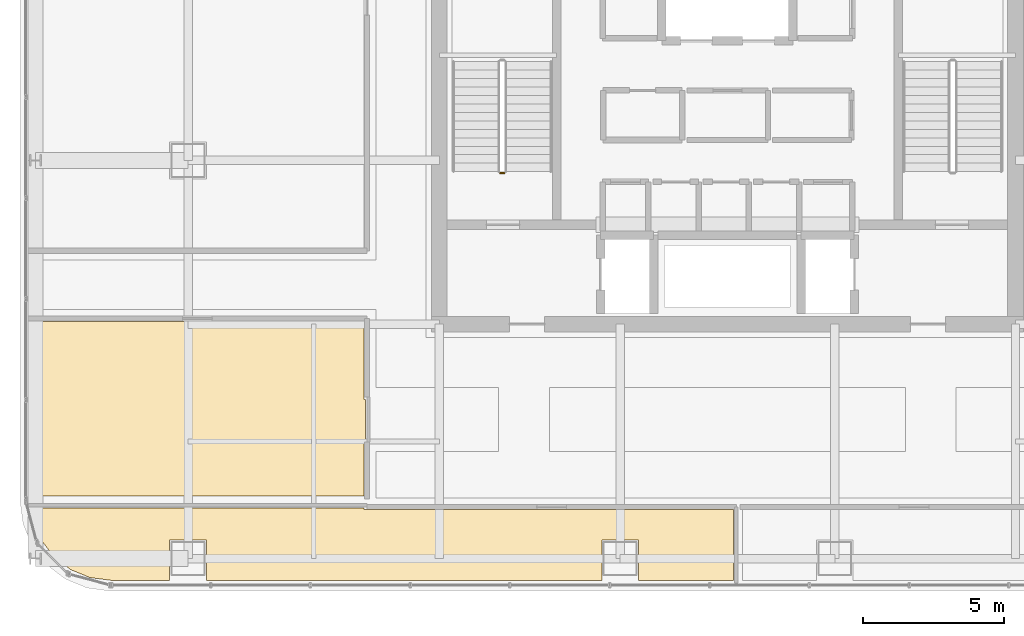
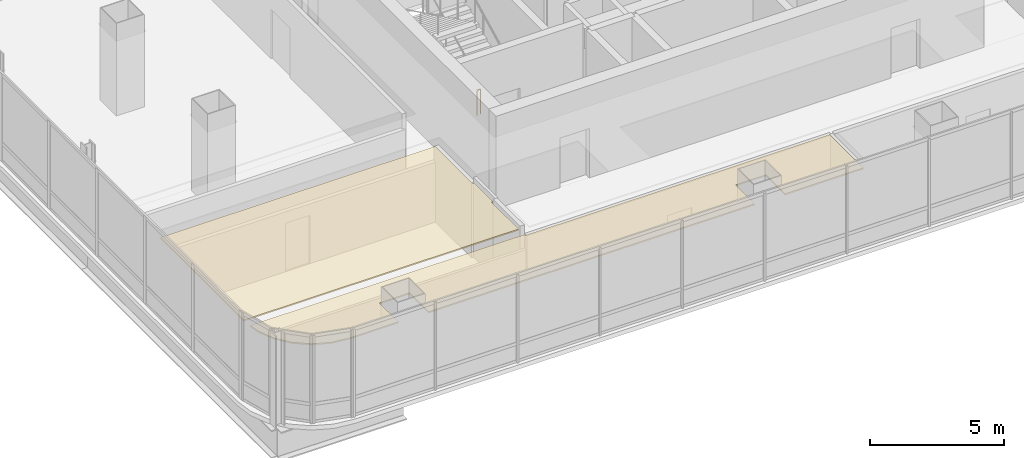
# One storey, part 37 of 41: 2 coverings, 1 railing.
"""IFC4 building model written with IfcOpenShell, lengths in metres."""

import ifcopenshell
import ifcopenshell.guid

model = None  # the IFC model being written
_history = None  # IfcOwnerHistory: only IFC2X3 demands one
_inside = {}  # id of a spatial element -> (the spatial element, [elements in it])
_under = {}  # id of a project, library or spatial element -> (it, [spatial elements below it])
_declared = {}  # id of a project -> (the project, [libraries it declares])
_typed = {}  # id of a type object -> (the type object, [elements of that type])
_made_of = {}  # id of a material, layer set ... -> (it, [elements and type objects made of it])


def new_model(schema):
    """Start an empty IFC model of exactly this schema.

    Asked for "IFC4X3", IfcOpenShell would pick the latest addendum, in which some entities
    have other attributes; the version numbers below select the first issue.
    IFC2X3 requires an IfcOwnerHistory on every rooted entity: one is made here for all.
    """
    global model, _history
    if schema == "IFC4X3":
        model = ifcopenshell.file(schema_version=(4, 3, 0, 0))
    else:
        model = ifcopenshell.file(schema=schema)
    _inside.clear()
    _under.clear()
    _declared.clear()
    _typed.clear()
    _made_of.clear()
    _history = None
    if model.schema == "IFC2X3":
        org = make("IfcOrganization", Name="unknown")
        user = make(
            "IfcPersonAndOrganization",
            ThePerson=make("IfcPerson", FamilyName="unknown"),
            TheOrganization=org,
        )
        app = make(
            "IfcApplication",
            ApplicationDeveloper=org,
            Version="unknown",
            ApplicationFullName="unknown",
            ApplicationIdentifier="unknown",
        )
        _history = make(
            "IfcOwnerHistory",
            OwningUser=user,
            OwningApplication=app,
            ChangeAction="ADDED",
            CreationDate=0,
        )
    return model


def make(cls, **values):
    """One entity of the class cls with the attributes given. An attribute that is None is left unset."""
    return model.create_entity(
        cls, **{name: value for name, value in values.items() if value is not None}
    )


def rooted(cls, **values):
    """An entity with a GlobalId (a new one), such as an element, a storey or a relation."""
    return make(cls, GlobalId=ifcopenshell.guid.new(), OwnerHistory=_history, **values)


def si_unit(unit_type, name, prefix=None):
    """IfcSIUnit, for example si_unit("LENGTHUNIT", "METRE", prefix="MILLI")."""
    return make("IfcSIUnit", UnitType=unit_type, Prefix=prefix, Name=name)


def assignment(units):
    """IfcUnitAssignment: the units of a project."""
    return None if units is None else make("IfcUnitAssignment", Units=units)


def point(xyz):
    """IfcCartesianPoint."""
    return None if xyz is None else make("IfcCartesianPoint", Coordinates=xyz)


def direction(xyz):
    """IfcDirection."""
    return None if xyz is None else make("IfcDirection", DirectionRatios=xyz)


def frame(location, z_axis=None, x_axis=None):
    """IfcAxis2Placement3D, a coordinate frame: its origin and axes. An axis left out is left unset."""
    return make(
        "IfcAxis2Placement3D",
        Location=point(location),
        Axis=direction(z_axis),
        RefDirection=direction(x_axis),
    )


def frame_2d(location, x_axis=None):
    """IfcAxis2Placement2D, a coordinate frame in the plane: its origin and x axis."""
    return make(
        "IfcAxis2Placement2D", Location=point(location), RefDirection=direction(x_axis)
    )


def origin():
    """The frame at (0, 0, 0) with its axes left unset."""
    return frame((0.0, 0.0, 0.0))


def origin_2d():
    """The frame at (0, 0) in the plane with its x axis left unset."""
    return frame_2d((0.0, 0.0))


def place(relative_to, where):
    """IfcLocalPlacement: puts the frame where relative to a parent placement (None: the world)."""
    return make(
        "IfcLocalPlacement", PlacementRelTo=relative_to, RelativePlacement=where
    )


def context(
    kind, dimensions, precision=None, world=None, true_north=None, identifier=None
):
    """IfcGeometricRepresentationContext, for example the 3D "Model" context."""
    return make(
        "IfcGeometricRepresentationContext",
        ContextIdentifier=identifier,
        ContextType=kind,
        CoordinateSpaceDimension=dimensions,
        Precision=precision,
        WorldCoordinateSystem=world,
        TrueNorth=true_north,
    )


def subcontext(parent, identifier, kind, view, scale=None):
    """IfcGeometricRepresentationSubContext, for example "Body" below "Model"."""
    return make(
        "IfcGeometricRepresentationSubContext",
        ContextIdentifier=identifier,
        ContextType=kind,
        ParentContext=parent,
        TargetScale=scale,
        TargetView=view,
    )


def project(units=None, contexts=None):
    """IfcProject with its units and contexts."""
    return rooted(
        "IfcProject",
        Name="project",
        RepresentationContexts=contexts,
        UnitsInContext=assignment(units),
    )


def spatial(cls, under=None, at=None, **own):
    """A site, building, storey or space (cls), placed at a placement, below another one or the project."""
    s = rooted(cls, ObjectPlacement=at, **own)
    if under is not None:
        _under.setdefault(under.id(), (under, []))[1].append(s)
    return s


def polyline(points):
    """IfcPolyline through the points."""
    return make("IfcPolyline", Points=[point(p) for p in points])


def profile(cls, at=None, kind="AREA", **sizes):
    """A parametric profile (cls). Its sizes go by their IFC names, for example OverallWidth=200.0."""
    return make(cls, ProfileType=kind, Position=at, **sizes)


def circle(**sizes):
    """IfcCircleProfileDef."""
    return profile("IfcCircleProfileDef", **sizes)


def outline(outer, holes=None, kind="AREA"):
    """IfcArbitraryClosedProfileDef: a profile drawn as a closed curve; with holes, ...WithVoids."""
    if holes is None:
        return make("IfcArbitraryClosedProfileDef", ProfileType=kind, OuterCurve=outer)
    return make(
        "IfcArbitraryProfileDefWithVoids",
        ProfileType=kind,
        OuterCurve=outer,
        InnerCurves=holes,
    )


def extrude(swept, where, along, depth):
    """IfcExtrudedAreaSolid: the profile swept, set in the frame where, extruded along a direction by depth."""
    return make(
        "IfcExtrudedAreaSolid",
        SweptArea=swept,
        Position=where,
        ExtrudedDirection=direction(along),
        Depth=depth,
    )


def shape(context_of_items, identifier, shape_type, items):
    """IfcShapeRepresentation: the items that make up one representation, for example the "Body"."""
    return make(
        "IfcShapeRepresentation",
        ContextOfItems=context_of_items,
        RepresentationIdentifier=identifier,
        RepresentationType=shape_type,
        Items=items,
    )


def material(Name=None, Category=None):
    """IfcMaterial."""
    return make("IfcMaterial", Name=Name, Category=Category)


def layer(
    of_material, thickness, ventilated=None, Name=None, Category=None, Priority=None
):
    """IfcMaterialLayer: one layer of a wall or slab, of a material (None: an air gap)."""
    return make(
        "IfcMaterialLayer",
        Material=of_material,
        LayerThickness=thickness,
        IsVentilated=ventilated,
        Name=Name,
        Category=Category,
        Priority=Priority,
    )


def layer_set(layers, Name=None):
    """IfcMaterialLayerSet."""
    return make("IfcMaterialLayerSet", MaterialLayers=layers, LayerSetName=Name)


def made_of(thing, what):
    """Note that an element or type object is made of a material, layer set ...; save() writes the relation."""
    if what is not None:
        _made_of.setdefault(what.id(), (what, []))[1].append(thing)
    return thing


def type_object(cls, material=None, **own):
    """A type object (cls), such as IfcWallType, which elements share."""
    return made_of(rooted(cls, **own), material)


def element(
    cls,
    number,
    at=None,
    inside=None,
    cuts=None,
    type_object=None,
    material=None,
    context=None,
    identifier="Body",
    shape_type=None,
    held_by="IfcProductDefinitionShape",
    body=None,
    shapes=None,
    **own,
):
    """One element of the class cls, such as IfcWall. Its Tag is "e" and its number.

    at: its placement. inside: the storey or other place that contains it. cuts: it is an
    opening in that element (IfcRelVoidsElement). A single representation is given by context,
    identifier, shape_type and body (its items); several are given by shapes. held_by: the class
    of the entity that holds the representations. save() writes the other relations.
    """
    e = rooted(cls, Tag="e%d" % number, ObjectPlacement=at, **own)
    if body is not None:
        shapes = [shape(context, identifier, shape_type, body)]
    if shapes is not None:
        e.Representation = make(held_by, Representations=shapes)
    if inside is not None:
        _inside.setdefault(inside.id(), (inside, []))[1].append(e)
    if cuts is not None:
        rooted(
            "IfcRelVoidsElement", RelatingBuildingElement=cuts, RelatedOpeningElement=e
        )
    if type_object is not None:
        _typed.setdefault(type_object.id(), (type_object, []))[1].append(e)
    return made_of(e, material)


def aggregate(whole, parts):
    """IfcRelAggregates: a whole, such as a stair, and the parts it consists of."""
    return rooted("IfcRelAggregates", RelatingObject=whole, RelatedObjects=parts)


def save(model, path):
    """Write the relations noted so far, then the file.

    IfcRelAggregates (storeys below a building ...), IfcRelContainedInSpatialStructure (elements
    in a storey), IfcRelDefinesByType, IfcRelAssociatesMaterial and IfcRelDeclares: one each for
    every whole, place, type object, material and project.
    """
    for whole, parts in _under.values():
        aggregate(whole, parts)
    for where, things in _inside.values():
        rooted(
            "IfcRelContainedInSpatialStructure",
            RelatedElements=things,
            RelatingStructure=where,
        )
    for kind, things in _typed.values():
        rooted("IfcRelDefinesByType", RelatedObjects=things, RelatingType=kind)
    for what, things in _made_of.values():
        rooted("IfcRelAssociatesMaterial", RelatedObjects=things, RelatingMaterial=what)
    for by, libraries in _declared.values():
        rooted("IfcRelDeclares", RelatingContext=by, RelatedDefinitions=libraries)
    model.write(path)


model = new_model("IFC4")

# Units and contexts
model_context = context("Model", 3, precision=1e-05, world=origin(), true_north=direction((0.0, 1.0)))
body_context = subcontext(model_context, "Body", "Model", "MODEL_VIEW")
ifc_project = project(units=[si_unit("LENGTHUNIT", "METRE"), si_unit("AREAUNIT", "SQUARE_METRE"), si_unit("VOLUMEUNIT", "CUBIC_METRE"), si_unit("PLANEANGLEUNIT", "RADIAN"), si_unit("MASSUNIT", "GRAM", prefix="KILO")], contexts=[model_context])

# Site, building, storey
site_placement = place(None, origin())
site = spatial("IfcSite", under=ifc_project, at=site_placement, CompositionType="ELEMENT")
building_placement = place(site_placement, origin())
building = spatial("IfcBuilding", under=site, at=building_placement, Name="Punatoya Terracotta Tower", CompositionType="ELEMENT")
storey_placement = place(building_placement, frame((0.0, 0.0, 288.0)))
storey = spatial("IfcBuildingStorey", under=building, at=storey_placement, Name="L68", CompositionType="ELEMENT", Elevation=288.0)

# Coverings
ifc_material_1 = material(Name="Acoustic Mineral Fibre Ceiling")
ifc_layer = layer(ifc_material_1, 0.06005859375)
ifc_layer_set = layer_set([ifc_layer], Name="Acoustic Mineral Fibre Ceiling")
covering_type = type_object("IfcCoveringType", Name="COV-CEIL-60", PredefinedType="CEILING", material=ifc_layer_set)
covering_1_placement = place(storey_placement, frame((0.0, 0.0, 3.389892578125)))
element("IfcCovering", 1, at=covering_1_placement, inside=storey, type_object=covering_type, Name="L68 Open-Plan Computational Simulation Laboratory Acoustic Ceiling", PredefinedType="CEILING", context=body_context, shape_type="SweptSolid", body=[
    extrude(outline(polyline([(-23.25830078125, -17.889404296875), (-22.5791015625, -18.1708984375), (-21.8251953125, -18.27001953125), (-19.75, -18.27001953125), (-19.75, -16.85009765625), (-18.449951171875, -16.85009765625), (-18.449951171875, -18.27001953125), (-4.449951171875, -18.27001953125), (-4.449951171875, -16.85009765625), (-3.14990234375, -16.85009765625), (-3.14990234375, -18.27001953125), (0.218017578125, -18.27001953125), (0.218017578125, -15.77001953125), (-12.8701171875, -15.77001953125), (-12.8701171875, -15.7099609375), (-24.632568359375, -15.7099609375), (-24.57080078125, -16.178955078125), (-24.289306640625, -16.8583984375), (-23.841796875, -17.441650390625), (-23.25830078125, -17.889404296875)])), origin(), (0.0, 0.0, 1.0), 0.06005859375),
])
covering_2_placement = place(storey_placement, frame((0.0, 0.0, 3.389892578125)))
element("IfcCovering", 2, at=covering_2_placement, inside=storey, type_object=covering_type, Name="L68 Materials Testing Laboratory Acoustic Ceiling", PredefinedType="CEILING", context=body_context, shape_type="SweptSolid", body=[
    extrude(outline(polyline([(-12.8701171875, -13.280029296875), (-12.81005859375, -13.280029296875), (-12.81005859375, -11.8701171875), (-12.8701171875, -11.8701171875), (-12.8701171875, -9.10009765625), (-24.669921875, -9.10009765625), (-24.669921875, -15.2900390625), (-12.8701171875, -15.2900390625), (-12.8701171875, -13.280029296875)])), origin(), (0.0, 0.0, 1.0), 0.06005859375),
])

# Railing
ifc_material_2 = material(Name="Steel S355", Category="steel")
railing_type = type_object("IfcRailingType", Name="RLG-GRD-1150", PredefinedType="GUARDRAIL", material=ifc_material_2)
railing_placement = place(storey_placement, frame((-7.89990234375, -3.85009765625, 0.0)))
element("IfcRailing", 3, at=railing_placement, inside=storey, type_object=railing_type, Name="L68 ST-1 stair guard 4", PredefinedType="GUARDRAIL", context=body_context, shape_type="SweptSolid", body=[
    extrude(circle(Radius=0.02392578125, at=origin_2d()), frame((0.0, 0.0, 1.1259765625), z_axis=(-1.0, 0.0, 0.0), x_axis=(0.0, -1.0, 0.0)), (0.0, 0.0, 1.0), 0.150146484375),
    extrude(circle(Radius=0.02099609375, at=origin_2d()), origin(), (0.0, 0.0, 1.0), 1.101806640625),
    extrude(circle(Radius=0.02099609375, at=origin_2d()), frame((-0.150146484375, 0.0, 0.0)), (0.0, 0.0, 1.0), 1.101806640625),
])

save(model, "model.ifc")
